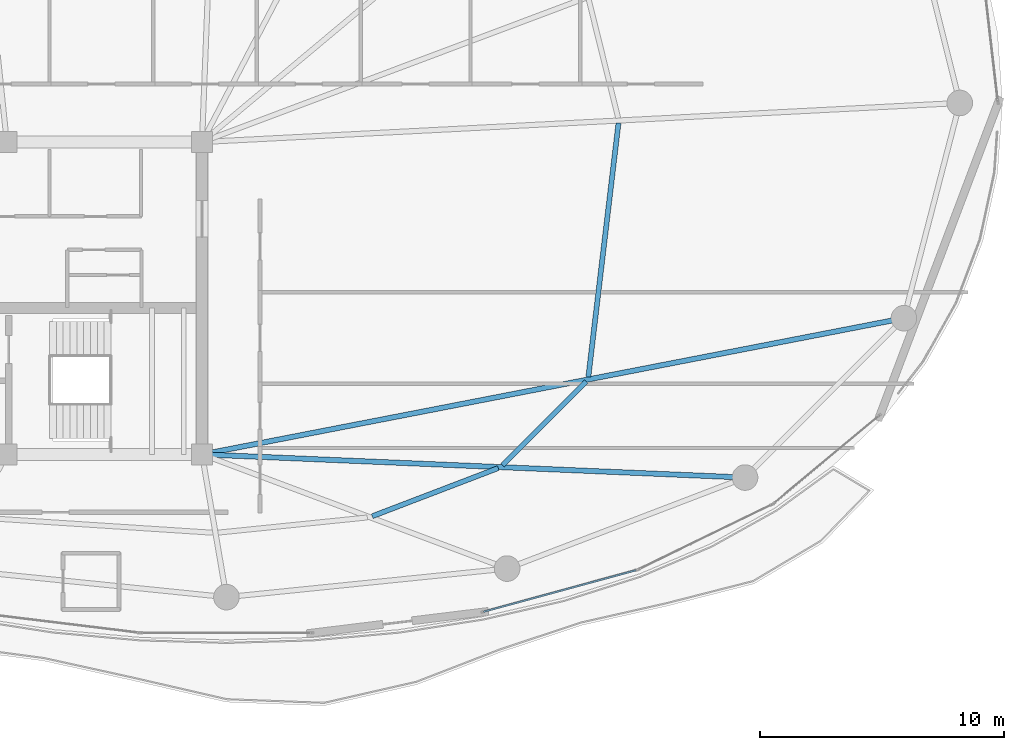
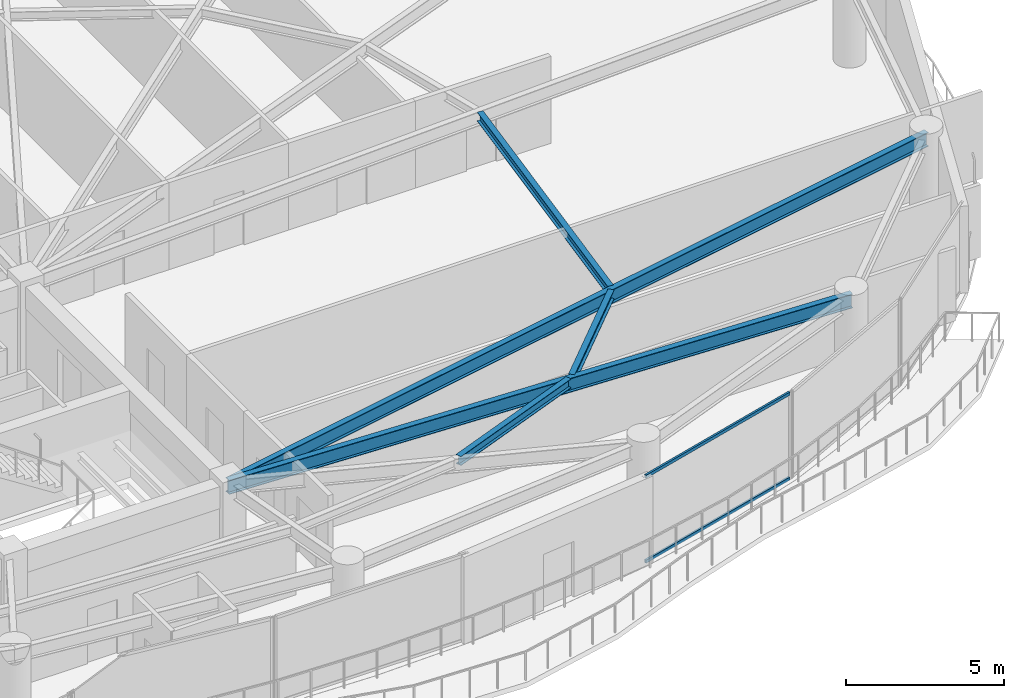
# One storey, part 12 of 31: 5 beams, 2 members, 1 element without a shape of its own.
"""IFC4 building model written with IfcOpenShell, lengths in metres."""

from ifc_helpers import new_model, si_unit, direction, frame, origin, origin_2d, place, context, subcontext, project, spatial, hollow_rectangle, i_section, extrude, material, layer, layer_set, material_profile, profile_set, type_object, element, aggregate, save


model = new_model("IFC4")

# Units and contexts
model_context = context("Model", 3, precision=1e-05, world=origin(), true_north=direction((0.0, 1.0)))
body_context = subcontext(model_context, "Body", "Model", "MODEL_VIEW")
ifc_project = project(units=[si_unit("LENGTHUNIT", "METRE"), si_unit("AREAUNIT", "SQUARE_METRE"), si_unit("VOLUMEUNIT", "CUBIC_METRE"), si_unit("PLANEANGLEUNIT", "RADIAN"), si_unit("MASSUNIT", "GRAM", prefix="KILO")], contexts=[model_context])

# Site, building, storey
site_placement = place(None, origin())
site = spatial("IfcSite", under=ifc_project, at=site_placement, CompositionType="ELEMENT")
building_placement = place(site_placement, origin())
building = spatial("IfcBuilding", under=site, at=building_placement, Name="Kazevale Care Tower and Concert Hall", CompositionType="ELEMENT")
storey_placement = place(building_placement, frame((0.0, 0.0, 220.800048828125)))
storey = spatial("IfcBuildingStorey", under=building, at=storey_placement, Name="L58", CompositionType="ELEMENT", Elevation=220.800048828125)

# Curtain wall, members
ifc_material_1 = material(Name="Aluminium 6063-T6 and Low-E Glass", Category="aluminium")
ifc_layer = layer(ifc_material_1, 0.179931640625)
ifc_layer_set = layer_set([ifc_layer], Name="Aluminium 6063-T6 and Low-E Glass")
curtain_wall_type = type_object("IfcCurtainWallType", Name="Sheltered Concave Balcony Curtain Wall CW-5", PredefinedType="NOTDEFINED", material=ifc_layer_set)
curtain_wall_placement = place(storey_placement, origin())
curtain_wall = element("IfcCurtainWall", 1, at=curtain_wall_placement, inside=storey, type_object=curtain_wall_type, Name="cw:L58:f04", PredefinedType="NOTDEFINED")
ifc_material_2 = material(Name="Aluminium 6063-T6", Category="aluminium")
ifc_material_profile_1 = material_profile(ifc_material_2, hollow_rectangle(XDim=0.074951171875, YDim=0.1201171875, WallThickness=0.00390625, at=origin_2d()), Name="ALU75x120x4")
ifc_profile_set_1 = profile_set([ifc_material_profile_1], Name="Aluminium 6063-T6")
member_type = type_object("IfcMemberType", Name="CW-5 Transom ALU75x120x4", PredefinedType="USERDEFINED", material=ifc_profile_set_1)
member_1_placement = place(storey_placement, frame((61.78369140625, 18.853271484375, 0.037353515625), z_axis=(-0.964843890632, -0.262823641842, 0.0), x_axis=(0.262823641842, -0.964843890632, 0.0)))
member_1 = element("IfcMember", 2, at=member_1_placement, type_object=member_type, Name="CW-5 transom 1.1", ObjectType="TRANSOM", PredefinedType="USERDEFINED", context=body_context, shape_type="SweptSolid", body=[
    extrude(hollow_rectangle(XDim=0.074951171875, YDim=0.1201171875, WallThickness=0.00390625, at=origin_2d()), origin(), (0.0, 0.0, 1.0), 6.469970703125),
])
member_2_placement = place(storey_placement, frame((61.78369140625, 18.853271484375, 3.322509765625), z_axis=(-0.964843890632, -0.262823641842, 0.0), x_axis=(0.262823641842, -0.964843890632, 0.0)))
member_2 = element("IfcMember", 3, at=member_2_placement, type_object=member_type, Name="CW-5 transom 1.2", ObjectType="TRANSOM", PredefinedType="USERDEFINED", context=body_context, shape_type="SweptSolid", body=[
    extrude(hollow_rectangle(XDim=0.074951171875, YDim=0.1201171875, WallThickness=0.00390625, at=origin_2d()), origin(), (0.0, 0.0, 1.0), 6.469970703125),
])
aggregate(curtain_wall, [member_1, member_2])

# Beams
ifc_material_3 = material(Name="Steel ASTM A572 Gr 50", Category="steel")
ifc_material_profile_2 = material_profile(ifc_material_3, i_section(OverallWidth=0.2119140625, OverallDepth=0.5439453125, WebThickness=0.01318359375, FlangeThickness=0.021240234375, at=origin_2d()), Name="W530x123")
ifc_profile_set_2 = profile_set([ifc_material_profile_2], Name="Steel ASTM A572 Gr 50")
beam_type_1 = type_object("IfcBeamType", Name="Radial Floor Girder W530x123", PredefinedType="BEAM", material=ifc_profile_set_2)
beam_1_placement = place(storey_placement, frame((44.0, 23.60009765625, 3.087890625), z_axis=(0.999089369477, -0.042666518456, 0.0), x_axis=(0.042666518456, 0.999089369477, 0.0)))
element("IfcBeam", 4, at=beam_1_placement, inside=storey, type_object=beam_type_1, Name="beam:L58:rad:15", PredefinedType="BEAM", context=body_context, shape_type="SweptSolid", body=[
    extrude(i_section(OverallWidth=0.2119140625, OverallDepth=0.5439453125, WebThickness=0.01318359375, FlangeThickness=0.021240234375, at=origin_2d()), origin(), (0.0, 0.0, 1.0), 22.270263671875),
])
beam_2_placement = place(storey_placement, frame((44.0, 23.60009765625, 3.087890625), z_axis=(0.981694544574, 0.190462125247, 0.0), x_axis=(-0.190462125247, 0.981694544574, 0.0)))
element("IfcBeam", 5, at=beam_2_placement, inside=storey, type_object=beam_type_1, Name="beam:L58:rad:16", PredefinedType="BEAM", context=body_context, shape_type="SweptSolid", body=[
    extrude(i_section(OverallWidth=0.2119140625, OverallDepth=0.5439453125, WebThickness=0.01318359375, FlangeThickness=0.021240234375, at=origin_2d()), origin(), (0.0, 0.0, 1.0), 29.29638671875),
])
ifc_material_profile_3 = material_profile(ifc_material_3, i_section(OverallWidth=0.205078125, OverallDepth=0.35400390625, WebThickness=0.009521484375, FlangeThickness=0.016845703125, at=origin_2d()), Name="W360x79")
ifc_profile_set_3 = profile_set([ifc_material_profile_3], Name="Steel ASTM A572 Gr 50")
beam_type_2 = type_object("IfcBeamType", Name="Secondary Floor Joist W360x79", PredefinedType="JOIST", material=ifc_profile_set_3)
beam_3_placement = place(storey_placement, frame((50.972900390625, 21.06396484375, 3.182861328125), z_axis=(0.934001589337, 0.35726884991, 0.0), x_axis=(-0.35726884991, 0.934001589337, 0.0)))
element("IfcBeam", 6, at=beam_3_placement, inside=storey, type_object=beam_type_2, Name="beam:L58:joist:14", PredefinedType="JOIST", context=body_context, shape_type="SweptSolid", body=[
    extrude(i_section(OverallWidth=0.205078125, OverallDepth=0.35400390625, WebThickness=0.009521484375, FlangeThickness=0.016845703125, at=origin_2d()), origin(), (0.0, 0.0, 1.0), 5.531005859375),
])
beam_4_placement = place(storey_placement, frame((56.31201171875, 23.152099609375, 3.182861328125), z_axis=(0.705975874919, 0.708235881633, 0.0), x_axis=(-0.708235881633, 0.705975874919, 0.0)))
element("IfcBeam", 7, at=beam_4_placement, inside=storey, type_object=beam_type_2, Name="beam:L58:joist:15", PredefinedType="JOIST", context=body_context, shape_type="SweptSolid", body=[
    extrude(i_section(OverallWidth=0.205078125, OverallDepth=0.35400390625, WebThickness=0.009521484375, FlangeThickness=0.016845703125, at=origin_2d()), origin(), (0.0, 0.0, 1.0), 4.861083984375),
])
beam_5_placement = place(storey_placement, frame((59.830078125, 26.77294921875, 3.182861328125), z_axis=(0.117874218468, 0.993028533639, 0.0), x_axis=(-0.993028533639, 0.117874218468, 0.0)))
element("IfcBeam", 8, at=beam_5_placement, inside=storey, type_object=beam_type_2, Name="beam:L58:joist:16", PredefinedType="JOIST", context=body_context, shape_type="SweptSolid", body=[
    extrude(i_section(OverallWidth=0.205078125, OverallDepth=0.35400390625, WebThickness=0.009521484375, FlangeThickness=0.016845703125, at=origin_2d()), origin(), (0.0, 0.0, 1.0), 10.47607421875),
])

save(model, "model.ifc")
